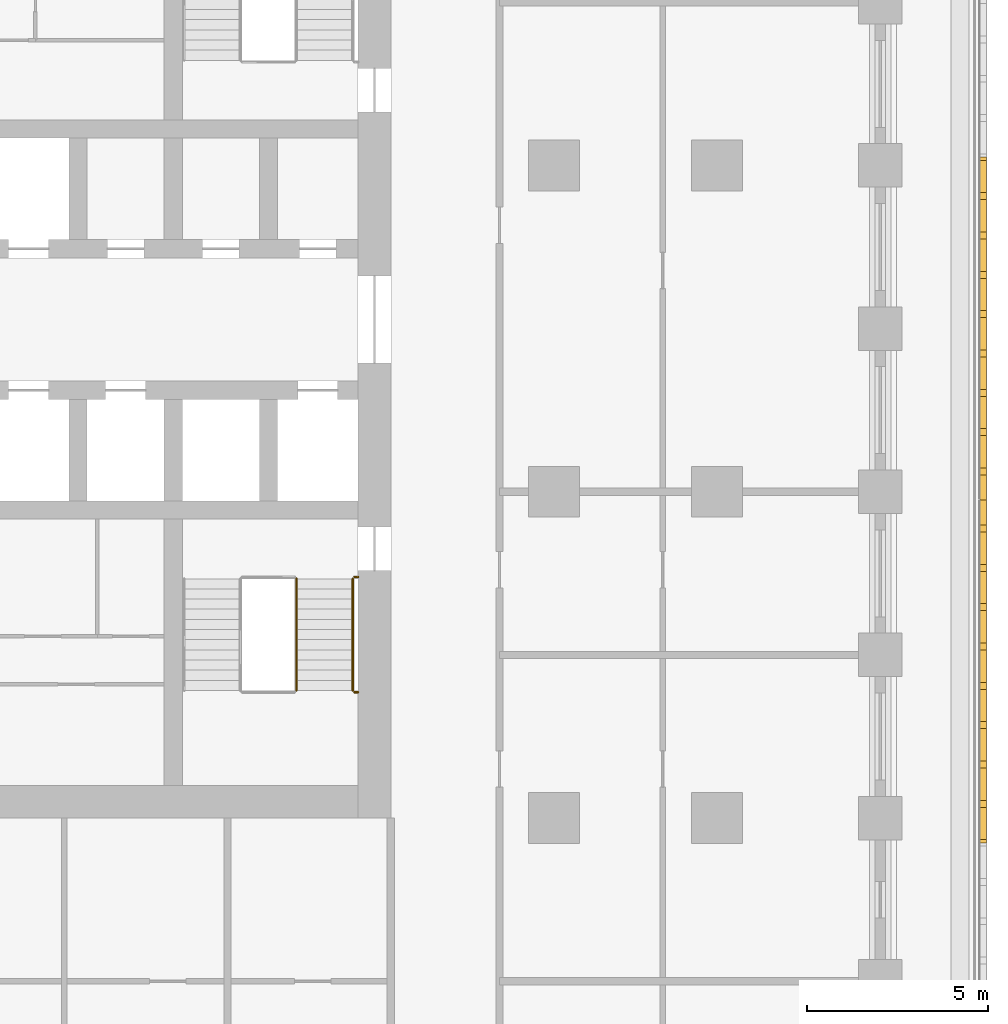
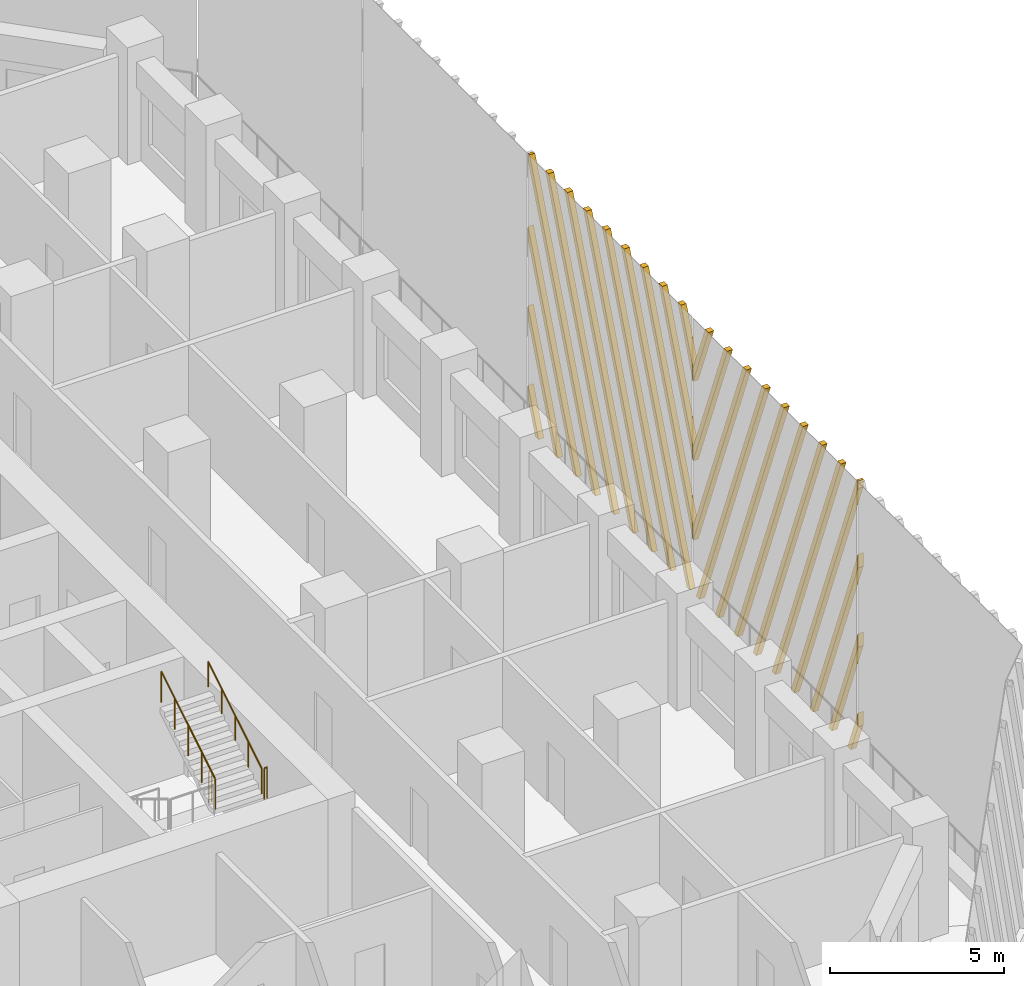
# One storey, part 14 of 20: 4 railings, 2 shading devices.
"""IFC4 building model written with IfcOpenShell, lengths in metres."""

from ifc_helpers import new_model, si_unit, direction, frame, origin, origin_2d, place, context, subcontext, project, spatial, polyline, circle, outline, extrude, source, transform, mapped, material, type_object, element, save


model = new_model("IFC4")

# Units and contexts
model_context = context("Model", 3, precision=1e-05, world=origin(), true_north=direction((0.0, 1.0)))
body_context = subcontext(model_context, "Body", "Model", "MODEL_VIEW")
ifc_project = project(units=[si_unit("LENGTHUNIT", "METRE"), si_unit("AREAUNIT", "SQUARE_METRE"), si_unit("VOLUMEUNIT", "CUBIC_METRE"), si_unit("PLANEANGLEUNIT", "RADIAN"), si_unit("MASSUNIT", "GRAM", prefix="KILO")], contexts=[model_context])

# Site, building, storey
site_placement = place(None, origin())
site = spatial("IfcSite", under=ifc_project, at=site_placement, CompositionType="ELEMENT")
building_placement = place(site_placement, origin())
building = spatial("IfcBuilding", under=site, at=building_placement, Name="Corbel Stack Research Tower", CompositionType="ELEMENT")
storey_placement = place(building_placement, frame((0.0, 0.0, 106.60009765625)))
storey = spatial("IfcBuildingStorey", under=building, at=storey_placement, Name="L24", CompositionType="ELEMENT", Elevation=106.60009765625)

# Railings
ifc_material_1 = material(Name="Steel S355", Category="steel")
railing_type_1 = type_object("IfcRailingType", Name="Stair guard 1100", PredefinedType="GUARDRAIL", material=ifc_material_1)
railing_1_placement = place(storey_placement, frame((17.0, -5.530029296875, 2.0498046875)))
element("IfcRailing", 1, at=railing_1_placement, inside=storey, type_object=railing_type_1, Name="L24 ST-E1 stair guard 3", PredefinedType="GUARDRAIL", context=body_context, shape_type="SweptSolid", body=[
    extrude(circle(Radius=0.02392578125, at=origin_2d()), frame((0.0, 0.0, 1.076171875), z_axis=(1.0, 0.0, 0.0), x_axis=(0.0, 1.0, 0.0)), (0.0, 0.0, 1.0), 0.10009765625),
    extrude(circle(Radius=0.02099609375, at=origin_2d()), origin(), (0.0, 0.0, 1.0), 1.052001953125),
    extrude(circle(Radius=0.02099609375, at=origin_2d()), frame((0.10009765625, 0.0, 0.0)), (0.0, 0.0, 1.0), 1.052001953125),
])
railing_2_placement = place(storey_placement, frame((15.39990234375, -5.47998046875, 2.220703125)))
element("IfcRailing", 2, at=railing_2_placement, inside=storey, type_object=railing_type_1, Name="L24 ST-E1 stair guard 4", PredefinedType="GUARDRAIL", context=body_context, shape_type="SweptSolid", body=[
    extrude(circle(Radius=0.02392578125, at=origin_2d()), frame((0.0, 0.0, 1.076171875), z_axis=(0.0, 0.853666305674, 0.52082035152), x_axis=(-1.0, 0.0, 0.0)), (0.0, 0.0, 1.0), 3.608154296875),
    extrude(circle(Radius=0.02099609375, at=origin_2d()), origin(), (0.0, 0.0, 1.0), 1.052001953125),
    extrude(circle(Radius=0.02099609375, at=origin_2d()), frame((0.0, 0.77001953125, 0.4697265625)), (0.0, 0.0, 1.0), 1.052001953125),
    extrude(circle(Radius=0.02099609375, at=origin_2d()), frame((0.0, 1.5400390625, 0.939453125)), (0.0, 0.0, 1.0), 1.052001953125),
    extrude(circle(Radius=0.02099609375, at=origin_2d()), frame((0.0, 2.31005859375, 1.409423828125)), (0.0, 0.0, 1.0), 1.052001953125),
    extrude(circle(Radius=0.02099609375, at=origin_2d()), frame((0.0, 3.080078125, 1.879150390625)), (0.0, 0.0, 1.0), 1.052001953125),
])
railing_3_placement = place(storey_placement, frame((17.0, -2.35009765625, 0.0)))
element("IfcRailing", 3, at=railing_3_placement, inside=storey, type_object=railing_type_1, Name="L24 ST-E1 stair guard 6", PredefinedType="GUARDRAIL", context=body_context, shape_type="SweptSolid", body=[
    extrude(circle(Radius=0.02392578125, at=origin_2d()), frame((0.0, 0.0, 1.076171875), z_axis=(1.0, 0.0, 0.0), x_axis=(0.0, 1.0, 0.0)), (0.0, 0.0, 1.0), 0.10009765625),
    extrude(circle(Radius=0.02099609375, at=origin_2d()), origin(), (0.0, 0.0, 1.0), 1.052001953125),
    extrude(circle(Radius=0.02099609375, at=origin_2d()), frame((0.10009765625, 0.0, 0.0)), (0.0, 0.0, 1.0), 1.052001953125),
])
ifc_material_2 = material(Name="Steel S355", Category="steel")
railing_type_2 = type_object("IfcRailingType", Name="Stair handrail 900", PredefinedType="HANDRAIL", material=ifc_material_2)
railing_4_placement = place(storey_placement, frame((16.949951171875, -5.47998046875, 2.220703125)))
element("IfcRailing", 4, at=railing_4_placement, inside=storey, type_object=railing_type_2, Name="L24 ST-E1 stair handrail 2", PredefinedType="HANDRAIL", context=body_context, shape_type="SweptSolid", body=[
    extrude(circle(Radius=0.02392578125, at=origin_2d()), frame((0.0, 0.0, 0.8759765625), z_axis=(0.0, 0.853666305674, 0.52082035152), x_axis=(-1.0, 0.0, 0.0)), (0.0, 0.0, 1.0), 3.608154296875),
    extrude(circle(Radius=0.02099609375, at=origin_2d()), origin(), (0.0, 0.0, 1.0), 0.851806640625),
    extrude(circle(Radius=0.02099609375, at=origin_2d()), frame((0.0, 0.77001953125, 0.4697265625)), (0.0, 0.0, 1.0), 0.851806640625),
    extrude(circle(Radius=0.02099609375, at=origin_2d()), frame((0.0, 1.5400390625, 0.939453125)), (0.0, 0.0, 1.0), 0.851806640625),
    extrude(circle(Radius=0.02099609375, at=origin_2d()), frame((0.0, 2.31005859375, 1.409423828125)), (0.0, 0.0, 1.0), 0.851806640625),
    extrude(circle(Radius=0.02099609375, at=origin_2d()), frame((0.0, 3.080078125, 1.879150390625)), (0.0, 0.0, 1.0), 0.851806640625),
])

# Shading devices
ifc_material_3 = material(Name="Precast terracotta", Category="masonry")
shading_device_type = type_object("IfcShadingDeviceType", Name="Terracotta screen panel", PredefinedType="USERDEFINED", material=ifc_material_3)
shared_shape_1 = source(origin(), body_context, "Body", "SweptSolid", [
    extrude(outline(polyline([(0.881103515625, 9.64990234375), (0.69091796875, 9.64990234375), (0.0, 7.880859375), (0.0, 7.394287109375), (0.881103515625, 9.64990234375)])), frame((0.0, 0.0, 0.0), z_axis=(0.0, -1.0, 0.0), x_axis=(1.0, 0.0, 0.0)), (0.0, 0.0, 1.0), 0.179931640625),
    extrude(outline(polyline([(1.965576171875, 9.64990234375), (1.775634765625, 9.64990234375), (0.0, 5.103515625), (0.0, 4.616943359375), (1.965576171875, 9.64990234375)])), frame((0.0, 0.0, 0.0), z_axis=(0.0, -1.0, 0.0), x_axis=(1.0, 0.0, 0.0)), (0.0, 0.0, 1.0), 0.179931640625),
    extrude(outline(polyline([(3.05029296875, 9.64990234375), (2.8603515625, 9.64990234375), (0.0, 2.326171875), (0.0, 1.839599609375), (3.05029296875, 9.64990234375)])), frame((0.0, 0.0, 0.0), z_axis=(0.0, -1.0, 0.0), x_axis=(1.0, 0.0, 0.0)), (0.0, 0.0, 1.0), 0.179931640625),
    extrude(outline(polyline([(0.3662109375, 0.0), (4.135009765625, 9.64990234375), (3.94482421875, 9.64990234375), (0.17626953125, 0.0), (0.3662109375, 0.0)])), frame((0.0, 0.0, 0.0), z_axis=(0.0, -1.0, 0.0), x_axis=(1.0, 0.0, 0.0)), (0.0, 0.0, 1.0), 0.179931640625),
    extrude(outline(polyline([(1.45068359375, 0.0), (5.219482421875, 9.64990234375), (5.029541015625, 9.64990234375), (1.2607421875, 0.0), (1.45068359375, 0.0)])), frame((0.0, 0.0, 0.0), z_axis=(0.0, -1.0, 0.0), x_axis=(1.0, 0.0, 0.0)), (0.0, 0.0, 1.0), 0.179931640625),
    extrude(outline(polyline([(2.535400390625, 0.0), (6.30419921875, 9.64990234375), (6.1142578125, 9.64990234375), (2.345458984375, 0.0), (2.535400390625, 0.0)])), frame((0.0, 0.0, 0.0), z_axis=(0.0, -1.0, 0.0), x_axis=(1.0, 0.0, 0.0)), (0.0, 0.0, 1.0), 0.179931640625),
    extrude(outline(polyline([(3.6201171875, 0.0), (7.388916015625, 9.64990234375), (7.198974609375, 9.64990234375), (3.43017578125, 0.0), (3.6201171875, 0.0)])), frame((0.0, 0.0, 0.0), z_axis=(0.0, -1.0, 0.0), x_axis=(1.0, 0.0, 0.0)), (0.0, 0.0, 1.0), 0.179931640625),
    extrude(outline(polyline([(4.704833984375, 0.0), (8.4736328125, 9.64990234375), (8.28369140625, 9.64990234375), (4.514892578125, 0.0), (4.704833984375, 0.0)])), frame((0.0, 0.0, 0.0), z_axis=(0.0, -1.0, 0.0), x_axis=(1.0, 0.0, 0.0)), (0.0, 0.0, 1.0), 0.179931640625),
    extrude(outline(polyline([(5.78955078125, 0.0), (9.45556640625, 9.38720703125), (9.45556640625, 9.64990234375), (9.368408203125, 9.64990234375), (5.599609375, 0.0), (5.78955078125, 0.0)])), frame((0.0, 0.0, 0.0), z_axis=(0.0, -1.0, 0.0), x_axis=(1.0, 0.0, 0.0)), (0.0, 0.0, 1.0), 0.179931640625),
    extrude(outline(polyline([(6.874267578125, 0.0), (9.45556640625, 6.60986328125), (9.45556640625, 7.096435546875), (6.68408203125, 0.0), (6.874267578125, 0.0)])), frame((0.0, 0.0, 0.0), z_axis=(0.0, -1.0, 0.0), x_axis=(1.0, 0.0, 0.0)), (0.0, 0.0, 1.0), 0.179931640625),
    extrude(outline(polyline([(7.958740234375, 0.0), (9.45556640625, 3.83251953125), (9.45556640625, 4.319091796875), (7.768798828125, 0.0), (7.958740234375, 0.0)])), frame((0.0, 0.0, 0.0), z_axis=(0.0, -1.0, 0.0), x_axis=(1.0, 0.0, 0.0)), (0.0, 0.0, 1.0), 0.179931640625),
    extrude(outline(polyline([(9.04345703125, 0.0), (9.45556640625, 1.055419921875), (9.45556640625, 1.541748046875), (8.853515625, 0.0), (9.04345703125, 0.0)])), frame((0.0, 0.0, 0.0), z_axis=(0.0, -1.0, 0.0), x_axis=(1.0, 0.0, 0.0)), (0.0, 0.0, 1.0), 0.179931640625),
])
shading_device_1_placement = place(storey_placement, frame((34.25, -0.227783203125, 0.0), z_axis=(0.0, 0.0, 1.0), x_axis=(0.0, 1.0, 0.0)))
element("IfcShadingDevice", 5, at=shading_device_1_placement, inside=storey, type_object=shading_device_type, Name="Terracotta screen L24 E3", ObjectType="SCREEN", PredefinedType="USERDEFINED", context=body_context, shape_type="MappedRepresentation", body=[
    mapped(shared_shape_1, transform((0.0, 0.0, 0.0))),
])
shared_shape_2 = source(origin(), body_context, "Body", "SweptSolid", [
    extrude(outline(polyline([(0.60205078125, 0.0), (0.0, 1.541748046875), (0.0, 1.055419921875), (0.412109375, 0.0), (0.60205078125, 0.0)])), frame((0.0, 0.0, 0.0), z_axis=(0.0, -1.0, 0.0), x_axis=(1.0, 0.0, 0.0)), (0.0, 0.0, 1.0), 0.179931640625),
    extrude(outline(polyline([(1.686767578125, 0.0), (0.0, 4.319091796875), (0.0, 3.83251953125), (1.496826171875, 0.0), (1.686767578125, 0.0)])), frame((0.0, 0.0, 0.0), z_axis=(0.0, -1.0, 0.0), x_axis=(1.0, 0.0, 0.0)), (0.0, 0.0, 1.0), 0.179931640625),
    extrude(outline(polyline([(2.771484375, 0.0), (0.0, 7.096435546875), (0.0, 6.60986328125), (2.58154296875, 0.0), (2.771484375, 0.0)])), frame((0.0, 0.0, 0.0), z_axis=(0.0, -1.0, 0.0), x_axis=(1.0, 0.0, 0.0)), (0.0, 0.0, 1.0), 0.179931640625),
    extrude(outline(polyline([(3.856201171875, 0.0), (0.08740234375, 9.64990234375), (0.0, 9.64990234375), (0.0, 9.38720703125), (3.666015625, 0.0), (3.856201171875, 0.0)])), frame((0.0, 0.0, 0.0), z_axis=(0.0, -1.0, 0.0), x_axis=(1.0, 0.0, 0.0)), (0.0, 0.0, 1.0), 0.179931640625),
    extrude(outline(polyline([(4.94091796875, 0.0), (1.172119140625, 9.64990234375), (0.98193359375, 9.64990234375), (4.750732421875, 0.0), (4.94091796875, 0.0)])), frame((0.0, 0.0, 0.0), z_axis=(0.0, -1.0, 0.0), x_axis=(1.0, 0.0, 0.0)), (0.0, 0.0, 1.0), 0.179931640625),
    extrude(outline(polyline([(6.025390625, 0.0), (2.256591796875, 9.64990234375), (2.066650390625, 9.64990234375), (5.83544921875, 0.0), (6.025390625, 0.0)])), frame((0.0, 0.0, 0.0), z_axis=(0.0, -1.0, 0.0), x_axis=(1.0, 0.0, 0.0)), (0.0, 0.0, 1.0), 0.179931640625),
    extrude(outline(polyline([(7.110107421875, 0.0), (3.34130859375, 9.64990234375), (3.1513671875, 9.64990234375), (6.920166015625, 0.0), (7.110107421875, 0.0)])), frame((0.0, 0.0, 0.0), z_axis=(0.0, -1.0, 0.0), x_axis=(1.0, 0.0, 0.0)), (0.0, 0.0, 1.0), 0.179931640625),
    extrude(outline(polyline([(8.19482421875, 0.0), (4.426025390625, 9.64990234375), (4.236083984375, 9.64990234375), (8.0048828125, 0.0), (8.19482421875, 0.0)])), frame((0.0, 0.0, 0.0), z_axis=(0.0, -1.0, 0.0), x_axis=(1.0, 0.0, 0.0)), (0.0, 0.0, 1.0), 0.179931640625),
    extrude(outline(polyline([(9.279541015625, 0.0), (5.5107421875, 9.64990234375), (5.32080078125, 9.64990234375), (9.089599609375, 0.0), (9.279541015625, 0.0)])), frame((0.0, 0.0, 0.0), z_axis=(0.0, -1.0, 0.0), x_axis=(1.0, 0.0, 0.0)), (0.0, 0.0, 1.0), 0.179931640625),
    extrude(outline(polyline([(6.595458984375, 9.64990234375), (6.405517578125, 9.64990234375), (9.45556640625, 1.839599609375), (9.45556640625, 2.326171875), (6.595458984375, 9.64990234375)])), frame((0.0, 0.0, 0.0), z_axis=(0.0, -1.0, 0.0), x_axis=(1.0, 0.0, 0.0)), (0.0, 0.0, 1.0), 0.179931640625),
    extrude(outline(polyline([(7.679931640625, 9.64990234375), (7.489990234375, 9.64990234375), (9.45556640625, 4.616943359375), (9.45556640625, 5.103515625), (7.679931640625, 9.64990234375)])), frame((0.0, 0.0, 0.0), z_axis=(0.0, -1.0, 0.0), x_axis=(1.0, 0.0, 0.0)), (0.0, 0.0, 1.0), 0.179931640625),
    extrude(outline(polyline([(8.7646484375, 9.64990234375), (8.57470703125, 9.64990234375), (9.45556640625, 7.394287109375), (9.45556640625, 7.880859375), (8.7646484375, 9.64990234375)])), frame((0.0, 0.0, 0.0), z_axis=(0.0, -1.0, 0.0), x_axis=(1.0, 0.0, 0.0)), (0.0, 0.0, 1.0), 0.179931640625),
])
shading_device_2_placement = place(storey_placement, frame((34.25, -9.68359375, 0.0), z_axis=(0.0, 0.0, 1.0), x_axis=(0.0, 1.0, 0.0)))
element("IfcShadingDevice", 6, at=shading_device_2_placement, inside=storey, type_object=shading_device_type, Name="Terracotta screen L24 E2", ObjectType="SCREEN", PredefinedType="USERDEFINED", context=body_context, shape_type="MappedRepresentation", body=[
    mapped(shared_shape_2, transform((0.0, 0.0, 0.0))),
])

save(model, "model.ifc")
